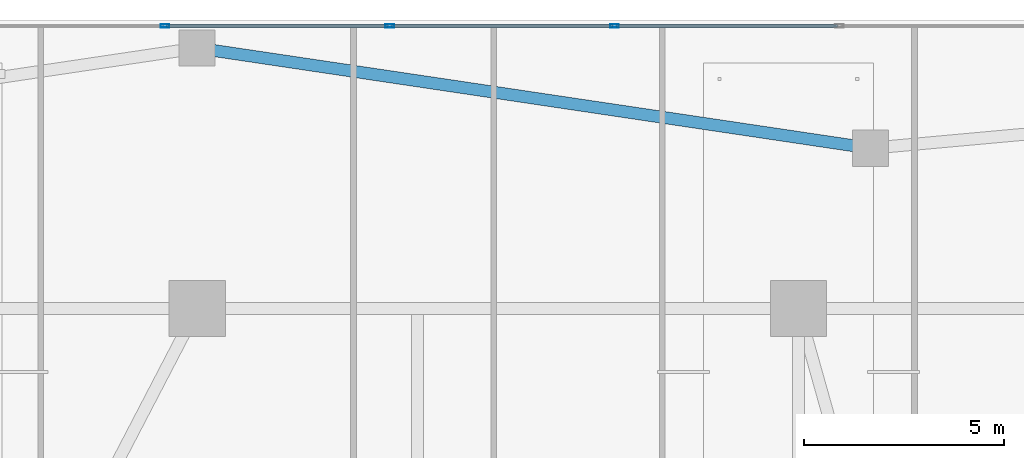
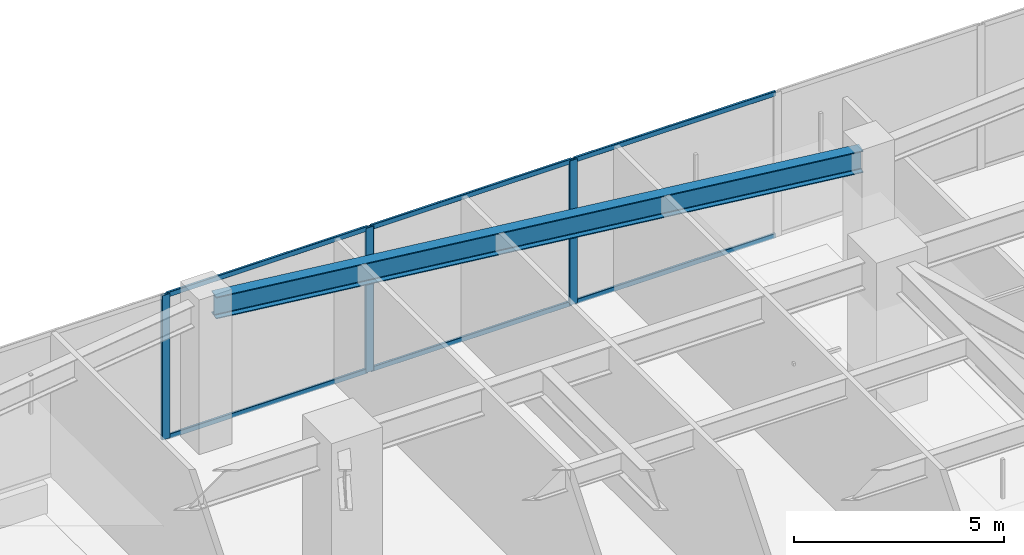
# One storey, part 12 of 29: 9 members, 1 beam, 1 element without a shape of its own.
"""IFC4 building model written with IfcOpenShell, lengths in metres."""

from ifc_helpers import new_model, si_unit, direction, frame, origin, origin_2d, place, context, subcontext, project, spatial, hollow_rectangle, i_section, extrude, material, layer, layer_set, material_profile, profile_set, type_object, element, aggregate, save


model = new_model("IFC4")

# Units and contexts
model_context = context("Model", 3, precision=1e-05, world=origin(), true_north=direction((0.0, 1.0)))
body_context = subcontext(model_context, "Body", "Model", "MODEL_VIEW")
ifc_project = project(units=[si_unit("LENGTHUNIT", "METRE"), si_unit("AREAUNIT", "SQUARE_METRE"), si_unit("VOLUMEUNIT", "CUBIC_METRE"), si_unit("PLANEANGLEUNIT", "RADIAN"), si_unit("MASSUNIT", "GRAM", prefix="KILO")], contexts=[model_context])

# Site, building, storey
site_placement = place(None, origin())
site = spatial("IfcSite", under=ifc_project, at=site_placement, CompositionType="ELEMENT")
building_placement = place(site_placement, origin())
building = spatial("IfcBuilding", under=site, at=building_placement, Name="Tarnavaz Court Tower", CompositionType="ELEMENT")
storey_placement = place(building_placement, frame((0.0, 0.0, 5.39990234375)))
storey = spatial("IfcBuildingStorey", under=building, at=storey_placement, Name="L01", CompositionType="ELEMENT", Elevation=5.39990234375)

# Beam
ifc_material_1 = material(Name="Steel S355", Category="steel")
ifc_material_profile_1 = material_profile(ifc_material_1, i_section(OverallWidth=0.300048828125, OverallDepth=0.639892578125, WebThickness=0.013427734375, FlangeThickness=0.02587890625, FilletRadius=0.027099609375, at=origin_2d()), Name="HEA 650")
ifc_profile_set_1 = profile_set([ifc_material_profile_1], Name="Steel S355")
beam_type = type_object("IfcBeamType", Name="BM-SP-HEA650", PredefinedType="SPANDREL", material=ifc_profile_set_1)
beam_placement = place(storey_placement, frame((0.19775390625, 29.2705078125, 3.880126953125), z_axis=(0.989108332922, -0.147189353368, 0.0), x_axis=(0.147189353368, 0.989108332922, 0.0)))
element("IfcBeam", 1, at=beam_placement, inside=storey, type_object=beam_type, Name="L01 Beam PR-POD-N2-POD-N3", PredefinedType="SPANDREL", context=body_context, shape_type="SweptSolid", body=[
    extrude(i_section(OverallWidth=0.300048828125, OverallDepth=0.639892578125, WebThickness=0.013427734375, FlangeThickness=0.02587890625, FilletRadius=0.027099609375, at=origin_2d()), origin(), (0.0, 0.0, 1.0), 16.585205078125),
])

# Curtain wall, members
ifc_material_2 = material(Name="Anodised Aluminium 6063-T6 and Solar Low-E Glazing", Category="aluminium")
ifc_layer = layer(ifc_material_2, 0.18994140625)
ifc_layer_set = layer_set([ifc_layer], Name="Anodised Aluminium 6063-T6 and Solar Low-E Glazing")
curtain_wall_type = type_object("IfcCurtainWallType", Name="CW-SYS-01", PredefinedType="NOTDEFINED", material=ifc_layer_set)
curtain_wall_placement = place(storey_placement, origin())
curtain_wall = element("IfcCurtainWall", 2, at=curtain_wall_placement, inside=storey, type_object=curtain_wall_type, Name="L01 Clinic Podium Curtain Wall 1", PredefinedType="NOTDEFINED")
ifc_material_3 = material(Name="Anodised Aluminium 6063-T6", Category="aluminium")
ifc_material_profile_2 = material_profile(ifc_material_3, hollow_rectangle(XDim=0.0849609375, YDim=0.219970703125, WallThickness=0.006103515625, InnerFilletRadius=0.006103515625, OuterFilletRadius=0.011962890625, at=origin_2d()), Name="ALU RHS 220X85X6")
ifc_profile_set_2 = profile_set([ifc_material_profile_2], Name="Anodised Aluminium 6063-T6")
member_type_1 = type_object("IfcMemberType", Name="CW-MUL-220", PredefinedType="MULLION", material=ifc_profile_set_2)
member_1_placement = place(storey_placement, frame((-0.804443359375, 29.85009765625, 0.0), z_axis=(0.0, 0.0, 1.0), x_axis=(0.0, 1.0, 0.0)))
member_1 = element("IfcMember", 3, at=member_1_placement, type_object=member_type_1, Name="CW mullion 6", PredefinedType="MULLION", context=body_context, shape_type="SweptSolid", body=[
    extrude(hollow_rectangle(XDim=0.0849609375, YDim=0.219970703125, WallThickness=0.006103515625, InnerFilletRadius=0.006103515625, OuterFilletRadius=0.011962890625, at=origin_2d()), origin(), (0.0, 0.0, 1.0), 4.2001953125),
])
member_2_placement = place(storey_placement, frame((4.804443359375, 29.85009765625, 0.0), z_axis=(0.0, 0.0, 1.0), x_axis=(0.0, 1.0, 0.0)))
member_2 = element("IfcMember", 4, at=member_2_placement, type_object=member_type_1, Name="CW mullion 7", PredefinedType="MULLION", context=body_context, shape_type="SweptSolid", body=[
    extrude(hollow_rectangle(XDim=0.0849609375, YDim=0.219970703125, WallThickness=0.006103515625, InnerFilletRadius=0.006103515625, OuterFilletRadius=0.011962890625, at=origin_2d()), origin(), (0.0, 0.0, 1.0), 4.2001953125),
])
member_3_placement = place(storey_placement, frame((10.41357421875, 29.85009765625, 0.0), z_axis=(0.0, 0.0, 1.0), x_axis=(0.0, 1.0, 0.0)))
member_3 = element("IfcMember", 5, at=member_3_placement, type_object=member_type_1, Name="CW mullion 8", PredefinedType="MULLION", context=body_context, shape_type="SweptSolid", body=[
    extrude(hollow_rectangle(XDim=0.0849609375, YDim=0.219970703125, WallThickness=0.006103515625, InnerFilletRadius=0.006103515625, OuterFilletRadius=0.011962890625, at=origin_2d()), origin(), (0.0, 0.0, 1.0), 4.2001953125),
])
ifc_material_profile_3 = material_profile(ifc_material_3, hollow_rectangle(XDim=0.06494140625, YDim=0.139892578125, WallThickness=0.00390625, InnerFilletRadius=0.00390625, OuterFilletRadius=0.008056640625, at=origin_2d()), Name="ALU RHS 140X65X4")
ifc_profile_set_3 = profile_set([ifc_material_profile_3], Name="Anodised Aluminium 6063-T6")
member_type_2 = type_object("IfcMemberType", Name="CW-TRN-140", PredefinedType="USERDEFINED", material=ifc_profile_set_3)
member_4_placement = place(storey_placement, frame((-0.761962890625, 29.85009765625, 0.03271484375), z_axis=(1.0, 0.0, 0.0), x_axis=(0.0, 1.0, 0.0)))
member_4 = element("IfcMember", 6, at=member_4_placement, type_object=member_type_2, Name="CW transom 6.1", ObjectType="TRANSOM", PredefinedType="USERDEFINED", context=body_context, shape_type="SweptSolid", body=[
    extrude(hollow_rectangle(XDim=0.06494140625, YDim=0.139892578125, WallThickness=0.00390625, InnerFilletRadius=0.00390625, OuterFilletRadius=0.008056640625, at=origin_2d()), origin(), (0.0, 0.0, 1.0), 5.52392578125),
])
member_5_placement = place(storey_placement, frame((-0.761962890625, 29.85009765625, 4.16748046875), z_axis=(1.0, 0.0, 0.0), x_axis=(0.0, 1.0, 0.0)))
member_5 = element("IfcMember", 7, at=member_5_placement, type_object=member_type_2, Name="CW transom 6.2", ObjectType="TRANSOM", PredefinedType="USERDEFINED", context=body_context, shape_type="SweptSolid", body=[
    extrude(hollow_rectangle(XDim=0.06494140625, YDim=0.139892578125, WallThickness=0.00390625, InnerFilletRadius=0.00390625, OuterFilletRadius=0.008056640625, at=origin_2d()), origin(), (0.0, 0.0, 1.0), 5.52392578125),
])
member_6_placement = place(storey_placement, frame((4.846923828125, 29.85009765625, 0.03271484375), z_axis=(1.0, 0.0, 0.0), x_axis=(0.0, 1.0, 0.0)))
member_6 = element("IfcMember", 8, at=member_6_placement, type_object=member_type_2, Name="CW transom 7.1", ObjectType="TRANSOM", PredefinedType="USERDEFINED", context=body_context, shape_type="SweptSolid", body=[
    extrude(hollow_rectangle(XDim=0.06494140625, YDim=0.139892578125, WallThickness=0.00390625, InnerFilletRadius=0.00390625, OuterFilletRadius=0.008056640625, at=origin_2d()), origin(), (0.0, 0.0, 1.0), 5.524169921875),
])
member_7_placement = place(storey_placement, frame((4.846923828125, 29.85009765625, 4.16748046875), z_axis=(1.0, 0.0, 0.0), x_axis=(0.0, 1.0, 0.0)))
member_7 = element("IfcMember", 9, at=member_7_placement, type_object=member_type_2, Name="CW transom 7.2", ObjectType="TRANSOM", PredefinedType="USERDEFINED", context=body_context, shape_type="SweptSolid", body=[
    extrude(hollow_rectangle(XDim=0.06494140625, YDim=0.139892578125, WallThickness=0.00390625, InnerFilletRadius=0.00390625, OuterFilletRadius=0.008056640625, at=origin_2d()), origin(), (0.0, 0.0, 1.0), 5.524169921875),
])
member_8_placement = place(storey_placement, frame((10.4560546875, 29.85009765625, 0.03271484375), z_axis=(1.0, 0.0, 0.0), x_axis=(0.0, 1.0, 0.0)))
member_8 = element("IfcMember", 10, at=member_8_placement, type_object=member_type_2, Name="CW transom 8.1", ObjectType="TRANSOM", PredefinedType="USERDEFINED", context=body_context, shape_type="SweptSolid", body=[
    extrude(hollow_rectangle(XDim=0.06494140625, YDim=0.139892578125, WallThickness=0.00390625, InnerFilletRadius=0.00390625, OuterFilletRadius=0.008056640625, at=origin_2d()), origin(), (0.0, 0.0, 1.0), 5.524169921875),
])
member_9_placement = place(storey_placement, frame((10.4560546875, 29.85009765625, 4.16748046875), z_axis=(1.0, 0.0, 0.0), x_axis=(0.0, 1.0, 0.0)))
member_9 = element("IfcMember", 11, at=member_9_placement, type_object=member_type_2, Name="CW transom 8.2", ObjectType="TRANSOM", PredefinedType="USERDEFINED", context=body_context, shape_type="SweptSolid", body=[
    extrude(hollow_rectangle(XDim=0.06494140625, YDim=0.139892578125, WallThickness=0.00390625, InnerFilletRadius=0.00390625, OuterFilletRadius=0.008056640625, at=origin_2d()), origin(), (0.0, 0.0, 1.0), 5.524169921875),
])
aggregate(curtain_wall, [member_1, member_2, member_3, member_4, member_5, member_6, member_7, member_8, member_9])

save(model, "model.ifc")
